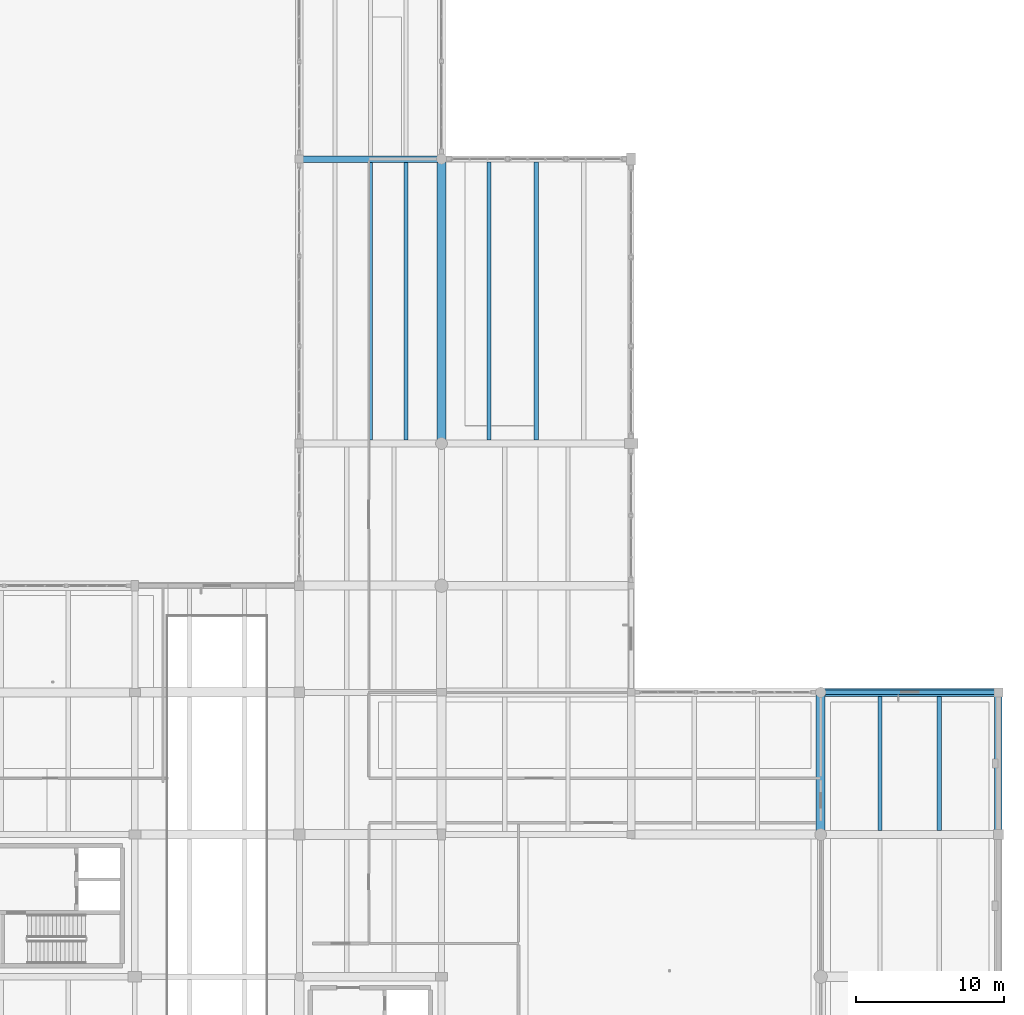
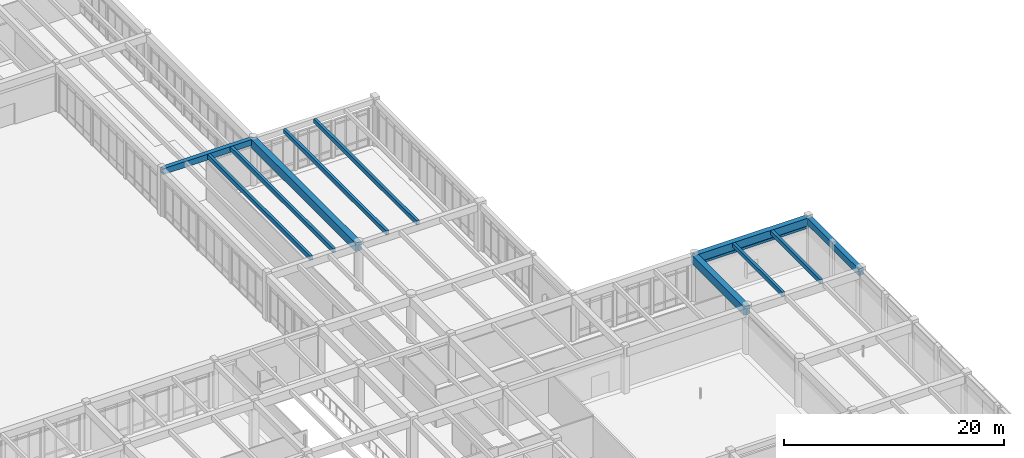
# One storey, part 71 of 138: 12 beams.
"""IFC4 building model written with IfcOpenShell, lengths in metres."""

from ifc_helpers import new_model, si_unit, direction, frame, origin, origin_2d, place, context, subcontext, project, spatial, rectangle, extrude, material, material_profile, profile_set, type_object, element, save


model = new_model("IFC4")

# Units and contexts
model_context = context("Model", 3, precision=1e-05, world=origin(), true_north=direction((0.0, 1.0)))
body_context = subcontext(model_context, "Body", "Model", "MODEL_VIEW")
ifc_project = project(units=[si_unit("LENGTHUNIT", "METRE"), si_unit("AREAUNIT", "SQUARE_METRE"), si_unit("VOLUMEUNIT", "CUBIC_METRE"), si_unit("PLANEANGLEUNIT", "RADIAN"), si_unit("MASSUNIT", "GRAM", prefix="KILO")], contexts=[model_context])

# Site, building, storey
site_placement = place(None, origin())
site = spatial("IfcSite", under=ifc_project, at=site_placement, CompositionType="ELEMENT")
building_placement = place(site_placement, origin())
building = spatial("IfcBuilding", under=site, at=building_placement, Name="Fikremerkos Civic Library", CompositionType="ELEMENT")
storey_placement = place(building_placement, origin())
storey = spatial("IfcBuildingStorey", under=building, at=storey_placement, Name="L00", CompositionType="ELEMENT", Elevation=0.0)

# Beams
ifc_material = material(Name="Concrete C40/50", Category="concrete")
ifc_material_profile_1 = material_profile(ifc_material, rectangle(XDim=0.280029296875, YDim=0.47998046875, at=origin_2d()), Name="RC 280x480")
ifc_profile_set_1 = profile_set([ifc_material_profile_1], Name="Concrete C40/50")
beam_type_1 = type_object("IfcBeamType", Name="Floor joist JS-04 RC 280x480", PredefinedType="JOIST", material=ifc_profile_set_1)
for number, where, z_axis, x_axis, name in (
    (1, (129.60009765625, 57.85009765625, 4.919921875), (0.0, 1.0, 0.0), (-1.0, 0.0, 0.0), "Floor joist JS-04 L00 #365"),
    (2, (132.0, 57.85009765625, 4.919921875), (0.0, 1.0, 0.0), (-1.0, 0.0, 0.0), "Floor joist JS-04 L00 #366"),
):
    element("IfcBeam", number, at=place(storey_placement, frame(where, z_axis=z_axis, x_axis=x_axis)), inside=storey, type_object=beam_type_1, Name=name, PredefinedType="JOIST", context=body_context, shape_type="SweptSolid", body=[
        extrude(rectangle(XDim=0.280029296875, YDim=0.47998046875, at=origin_2d()), origin(), (0.0, 0.0, 1.0), 18.724853515625),
    ])
for number, where, z_axis, x_axis, name in (
    (3, (137.60009765625, 57.85009765625, 4.919921875), (0.0, 1.0, 0.0), (-1.0, 0.0, 0.0), "Floor joist JS-04 L00 #379"),
    (4, (140.800048828125, 57.85009765625, 4.919921875), (0.0, 1.0, 0.0), (-1.0, 0.0, 0.0), "Floor joist JS-04 L00 #380"),
):
    element("IfcBeam", number, at=place(storey_placement, frame(where, z_axis=z_axis, x_axis=x_axis)), inside=storey, type_object=beam_type_1, Name=name, PredefinedType="JOIST", context=body_context, shape_type="SweptSolid", body=[
        extrude(rectangle(XDim=0.280029296875, YDim=0.47998046875, at=origin_2d()), origin(), (0.0, 0.0, 1.0), 18.75),
    ])
for number, where, z_axis, x_axis, name in (
    (5, (164.0, 31.47509765625, 4.860107421875), (0.0, 1.0, 0.0), (-1.0, 0.0, 0.0), "Floor joist JS-04 L00 #390"),
    (6, (168.0, 31.47509765625, 4.860107421875), (0.0, 1.0, 0.0), (-1.0, 0.0, 0.0), "Floor joist JS-04 L00 #391"),
):
    element("IfcBeam", number, at=place(storey_placement, frame(where, z_axis=z_axis, x_axis=x_axis)), inside=storey, type_object=beam_type_1, Name=name, PredefinedType="JOIST", context=body_context, shape_type="SweptSolid", body=[
        extrude(rectangle(XDim=0.280029296875, YDim=0.47998046875, at=origin_2d()), origin(), (0.0, 0.0, 1.0), 9.0498046875),
    ])
ifc_material_profile_2 = material_profile(ifc_material, rectangle(XDim=0.300048828125, YDim=0.260009765625, at=origin_2d()), Name="RC 300x260")
ifc_profile_set_2 = profile_set([ifc_material_profile_2], Name="Concrete C40/50")
beam_type_2 = type_object("IfcBeamType", Name="Opening lintel LNT-02 RC 300x260", PredefinedType="LINTEL", material=ifc_profile_set_2)
beam_1_placement = place(storey_placement, frame((160.0, 40.800048828125, 3.989990234375), z_axis=(1.0, 0.0, 0.0), x_axis=(0.0, 1.0, 0.0)))
element("IfcBeam", 7, at=beam_1_placement, inside=storey, type_object=beam_type_2, Name="Courtyard window head lintel LNT-02 L00 #11", PredefinedType="LINTEL", context=body_context, shape_type="SweptSolid", body=[
    extrude(rectangle(XDim=0.300048828125, YDim=0.260009765625, at=origin_2d()), origin(), (0.0, 0.0, 1.0), 12.0),
])
ifc_material_profile_3 = material_profile(ifc_material, rectangle(XDim=0.60009765625, YDim=0.949951171875, at=origin_2d()), Name="RC 600x950")
ifc_profile_set_3 = profile_set([ifc_material_profile_3], Name="Concrete C40/50")
beam_type_3 = type_object("IfcBeamType", Name="Primary girder BM-01 RC 600x950", PredefinedType="BEAM", material=ifc_profile_set_3)
beam_2_placement = place(storey_placement, frame((134.39990234375, 57.60009765625, 4.68505859375), z_axis=(0.0, 1.0, 0.0), x_axis=(-1.0, 0.0, 0.0)))
element("IfcBeam", 8, at=beam_2_placement, inside=storey, type_object=beam_type_3, Name="Primary girder BM-01 L00 grid 12", PredefinedType="BEAM", context=body_context, shape_type="SweptSolid", body=[
    extrude(rectangle(XDim=0.60009765625, YDim=0.949951171875, at=origin_2d()), origin(), (0.0, 0.0, 1.0), 19.199951171875),
])
beam_3_placement = place(storey_placement, frame((160.0, 31.199951171875, 4.625), z_axis=(0.0, 1.0, 0.0), x_axis=(-1.0, 0.0, 0.0)))
element("IfcBeam", 9, at=beam_3_placement, inside=storey, type_object=beam_type_3, Name="Primary girder BM-01 L00 grid 14", PredefinedType="BEAM", context=body_context, shape_type="SweptSolid", body=[
    extrude(rectangle(XDim=0.60009765625, YDim=0.949951171875, at=origin_2d()), origin(), (0.0, 0.0, 1.0), 9.60009765625),
])
ifc_material_profile_4 = material_profile(ifc_material, rectangle(XDim=0.550048828125, YDim=0.85009765625, at=origin_2d()), Name="RC 550x850")
ifc_profile_set_4 = profile_set([ifc_material_profile_4], Name="Concrete C40/50")
beam_type_4 = type_object("IfcBeamType", Name="Primary girder BM-03 RC 550x850", PredefinedType="BEAM", material=ifc_profile_set_4)
beam_4_placement = place(storey_placement, frame((160.0, 40.800048828125, 4.675048828125), z_axis=(1.0, 0.0, 0.0), x_axis=(0.0, 1.0, 0.0)))
element("IfcBeam", 10, at=beam_4_placement, inside=storey, type_object=beam_type_4, Name="Primary girder BM-03 L00 grid H", PredefinedType="BEAM", context=body_context, shape_type="SweptSolid", body=[
    extrude(rectangle(XDim=0.550048828125, YDim=0.85009765625, at=origin_2d()), origin(), (0.0, 0.0, 1.0), 12.0),
])
ifc_material_profile_5 = material_profile(ifc_material, rectangle(XDim=0.5, YDim=0.75, at=origin_2d()), Name="RC 500x750")
ifc_profile_set_5 = profile_set([ifc_material_profile_5], Name="Concrete C40/50")
beam_type_5 = type_object("IfcBeamType", Name="Primary girder BM-05 RC 500x750", PredefinedType="BEAM", material=ifc_profile_set_5)
beam_5_placement = place(storey_placement, frame((172.0, 31.199951171875, 4.72509765625), z_axis=(0.0, 1.0, 0.0), x_axis=(-1.0, 0.0, 0.0)))
element("IfcBeam", 11, at=beam_5_placement, inside=storey, type_object=beam_type_5, Name="Primary girder BM-05 L00 grid 15", PredefinedType="BEAM", context=body_context, shape_type="SweptSolid", body=[
    extrude(rectangle(XDim=0.5, YDim=0.75, at=origin_2d()), origin(), (0.0, 0.0, 1.0), 9.60009765625),
])
ifc_material_profile_6 = material_profile(ifc_material, rectangle(XDim=0.449951171875, YDim=0.64990234375, at=origin_2d()), Name="RC 450x650")
ifc_profile_set_6 = profile_set([ifc_material_profile_6], Name="Concrete C40/50")
beam_type_6 = type_object("IfcBeamType", Name="Primary girder BM-07 RC 450x650", PredefinedType="BEAM", material=ifc_profile_set_6)
beam_6_placement = place(storey_placement, frame((124.800048828125, 76.800048828125, 4.8349609375), z_axis=(1.0, 0.0, 0.0), x_axis=(0.0, 1.0, 0.0)))
element("IfcBeam", 12, at=beam_6_placement, inside=storey, type_object=beam_type_6, Name="Primary girder BM-07 L00 grid L", PredefinedType="BEAM", context=body_context, shape_type="SweptSolid", body=[
    extrude(rectangle(XDim=0.449951171875, YDim=0.64990234375, at=origin_2d()), origin(), (0.0, 0.0, 1.0), 9.599853515625),
])

save(model, "model.ifc")
